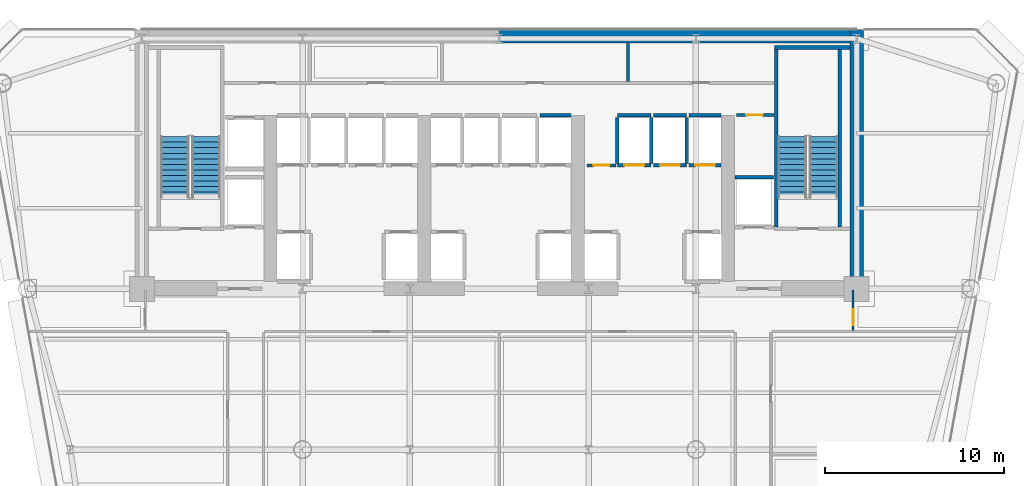
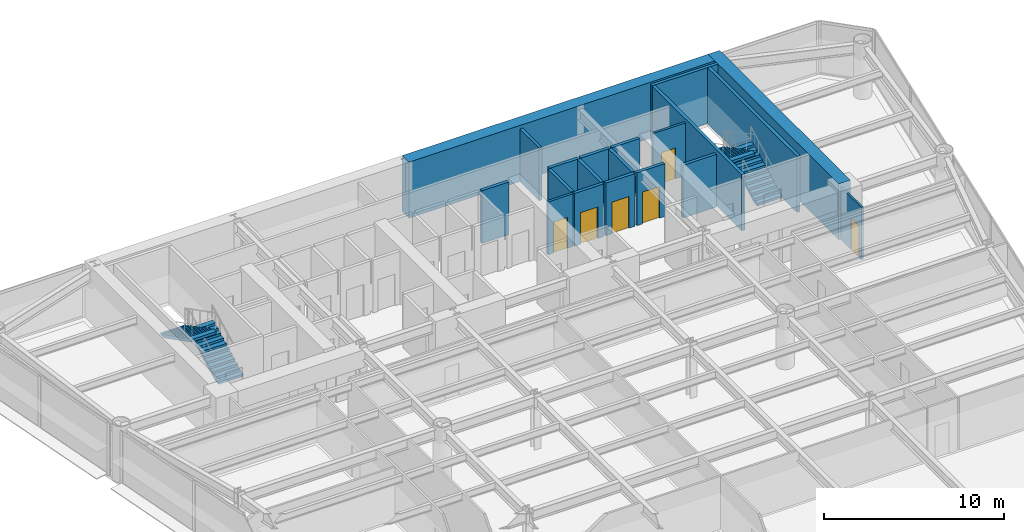
# One storey, part 10 of 14: 20 walls, 6 doors, 4 stair flights, 6 openings, 2 elements without a shape of their own.
"""IFC4 building model written with IfcOpenShell, lengths in metres."""

from ifc_helpers import new_model, si_unit, direction, frame, frame_2d, origin, place, context, subcontext, project, spatial, polyline, rectangle, outline, extrude, source, transform, mapped, material, layer, layer_set, type_object, element, fill, aggregate, save


model = new_model("IFC4")

# Units and contexts
model_context = context("Model", 3, precision=1e-05, world=origin(), true_north=direction((0.0, 1.0)))
body_context = subcontext(model_context, "Body", "Model", "MODEL_VIEW")
ifc_project = project(units=[si_unit("LENGTHUNIT", "METRE"), si_unit("AREAUNIT", "SQUARE_METRE"), si_unit("VOLUMEUNIT", "CUBIC_METRE"), si_unit("PLANEANGLEUNIT", "RADIAN"), si_unit("MASSUNIT", "GRAM", prefix="KILO")], contexts=[model_context])

# Site, building, storey
site_placement = place(None, origin())
site = spatial("IfcSite", under=ifc_project, at=site_placement, CompositionType="ELEMENT")
building_placement = place(site_placement, origin())
building = spatial("IfcBuilding", under=site, at=building_placement, Name="Vaeldorn Concourse Tower", CompositionType="ELEMENT")
storey_placement = place(building_placement, frame((0.0, 0.0, 99.60009765625)))
storey = spatial("IfcBuildingStorey", under=building, at=storey_placement, Name="L25", CompositionType="ELEMENT", Elevation=99.60009765625)

# Walls
ifc_material_1 = material(Name="Concrete C60/75", Category="concrete")
ifc_layer_1 = layer(ifc_material_1, 0.75)
ifc_layer_set_1 = layer_set([ifc_layer_1], Name="Concrete C60/75")
wall_type_1 = type_object("IfcWallType", Name="WL-CORE-750", PredefinedType="SHEAR", material=ifc_layer_set_1)
wall_1_placement = place(storey_placement, frame((34.001953125, 50.625, 0.0), z_axis=(0.0, 0.0, 1.0), x_axis=(1.0, 0.0, 0.0)))
element("IfcWall", 1, at=wall_1_placement, inside=storey, type_object=wall_type_1, Name="Rear Core Shear Wall L25 N2", PredefinedType="SHEAR", context=body_context, shape_type="SweptSolid", body=[
    extrude(rectangle(XDim=19.619140625, YDim=0.75, at=frame_2d((9.8095703125, 0.0))), origin(), (0.0, 0.0, 1.0), 3.7998046875),
])
wall_2_placement = place(storey_placement, frame((54.0, 36.5, 0.0), z_axis=(0.0, 0.0, 1.0), x_axis=(0.0, 1.0, 0.0)))
element("IfcWall", 2, at=wall_2_placement, inside=storey, type_object=wall_type_1, Name="Rear Core Shear Wall L25 E1", PredefinedType="SHEAR", context=body_context, shape_type="SweptSolid", body=[
    extrude(rectangle(XDim=14.5, YDim=0.75, at=frame_2d((7.25, 0.0))), origin(), (0.0, 0.0, 1.0), 3.7998046875),
])

# Wall, opening, door
ifc_material_2 = material(Name="Gypsum Board Partition", Category="gypsum")
ifc_layer_2 = layer(ifc_material_2, 0.1201171875)
ifc_layer_set_2 = layer_set([ifc_layer_2], Name="Gypsum Board Partition")
wall_type_2 = type_object("IfcWallType", Name="WL-PART-120", PredefinedType="PARTITIONING", material=ifc_layer_set_2)
wall_3_placement = place(storey_placement, frame((53.800048828125, 34.159912109375, 0.0), z_axis=(0.0, 0.0, 1.0), x_axis=(0.0, 1.0, 0.0)))
wall_3 = element("IfcWall", 3, at=wall_3_placement, inside=storey, type_object=wall_type_2, Name="Interior Wall PW-L25-CEET", PredefinedType="PARTITIONING", context=body_context, shape_type="SweptSolid", body=[
    extrude(rectangle(XDim=2.280029296875, YDim=0.1201171875, at=frame_2d((1.14013671875, 0.0))), origin(), (0.0, 0.0, 1.0), 3.579833984375),
])
opening_1_placement = place(wall_3_placement, frame((0.300048828125, 0.0, 0.0)))
opening_1 = element("IfcOpeningElement", 4, at=opening_1_placement, cuts=wall_3, Name="Opening D-03", PredefinedType="OPENING", context=body_context, shape_type="SweptSolid", body=[
    extrude(rectangle(XDim=0.89990234375, YDim=2.14990234375, at=frame_2d((0.449951171875, 1.074951171875))), frame((0.0, 0.070068359375, 0.0), z_axis=(0.0, -1.0, 0.0), x_axis=(1.0, 0.0, 0.0)), (0.0, 0.0, 1.0), 0.14013671875),
])
ifc_material_3 = material(Name="Acoustic Bronze-Framed Glass Door", Category="glass")
door_type_1 = type_object("IfcDoorType", Name="DR-INT-900", OperationType="NOTDEFINED", PredefinedType="DOOR", material=ifc_material_3)
shared_shape_1 = source(origin(), body_context, "Body", "SweptSolid", [
    extrude(rectangle(XDim=0.89990234375, YDim=2.14990234375, at=frame_2d((0.449951171875, 1.074951171875))), frame((0.0, 0.02490234375, 0.0), z_axis=(0.0, -1.0, 0.0), x_axis=(1.0, 0.0, 0.0)), (0.0, 0.0, 1.0), 0.050048828125),
])
door_1_placement = place(opening_1_placement, origin())
door_1 = element("IfcDoor", 5, at=door_1_placement, inside=storey, type_object=door_type_1, Name="Interior Door DR-L25-NE1", OperationType="SINGLE_SWING_RIGHT", OverallHeight=2.14990234375, OverallWidth=0.89990234375, PredefinedType="DOOR", context=body_context, shape_type="MappedRepresentation", body=[
    mapped(shared_shape_1, transform((0.0, 0.0, 0.0), scale=1.0)),
])
fill(opening_1, door_1)

ifc_layer_3 = layer(ifc_material_2, 0.14990234375)
ifc_layer_set_3 = layer_set([ifc_layer_3], Name="Gypsum Board Partition")
wall_type_3 = type_object("IfcWallType", Name="WL-PART-150", PredefinedType="PARTITIONING", material=ifc_layer_set_3)
wall_4_placement = place(storey_placement, frame((47.280029296875, 46.219970703125, 0.0), z_axis=(0.0, 0.0, 1.0), x_axis=(1.0, 0.0, 0.0)))
wall_4 = element("IfcWall", 6, at=wall_4_placement, inside=storey, type_object=wall_type_3, Name="Interior Wall CW-L25-CRSE-N", PredefinedType="PARTITIONING", context=body_context, shape_type="SweptSolid", body=[
    extrude(rectangle(XDim=2.099853515625, YDim=0.14990234375, at=frame_2d((1.0498046875, 0.0))), origin(), (0.0, 0.0, 1.0), 3.579833984375),
])
opening_2_placement = place(wall_4_placement, frame((0.550048828125, 0.0, 0.0)))
opening_2 = element("IfcOpeningElement", 7, at=opening_2_placement, cuts=wall_4, Name="Opening D-02", PredefinedType="OPENING", context=body_context, shape_type="SweptSolid", body=[
    extrude(rectangle(XDim=0.89990234375, YDim=2.10009765625, at=frame_2d((0.449951171875, 1.050048828125))), frame((0.0, 0.0849609375, 0.0), z_axis=(0.0, -1.0, 0.0), x_axis=(1.0, 0.0, 0.0)), (0.0, 0.0, 1.0), 0.169921875),
])
ifc_material_4 = material(Name="Fire-Rated Timber Leaf", Category="wood")
door_type_2 = type_object("IfcDoorType", Name="DR-FD30-900", OperationType="NOTDEFINED", PredefinedType="DOOR", material=ifc_material_4)
shared_shape_2 = source(origin(), body_context, "Body", "SweptSolid", [
    extrude(rectangle(XDim=0.89990234375, YDim=2.10009765625, at=frame_2d((0.449951171875, 1.050048828125))), frame((0.0, 0.02490234375, 0.0), z_axis=(0.0, -1.0, 0.0), x_axis=(1.0, 0.0, 0.0)), (0.0, 0.0, 1.0), 0.050048828125),
])
door_2_placement = place(opening_2_placement, origin())
door_2 = element("IfcDoor", 8, at=door_2_placement, inside=storey, type_object=door_type_2, Name="Interior Door DR-L25-CRSE", OperationType="SINGLE_SWING_RIGHT", OverallHeight=2.10009765625, OverallWidth=0.89990234375, PredefinedType="DOOR", context=body_context, shape_type="MappedRepresentation", body=[
    mapped(shared_shape_2, transform((0.0, 0.0, 0.0), scale=1.0)),
])
fill(opening_2, door_2)

wall_5_placement = place(storey_placement, frame((38.919921875, 43.39990234375, 0.0), z_axis=(0.0, 0.0, 1.0), x_axis=(1.0, 0.0, 0.0)))
wall_5 = element("IfcWall", 9, at=wall_5_placement, inside=storey, type_object=wall_type_3, Name="Interior Wall CW-L25-CCLINK", PredefinedType="PARTITIONING", context=body_context, shape_type="SweptSolid", body=[
    extrude(rectangle(XDim=1.60009765625, YDim=0.14990234375, at=frame_2d((0.800048828125, 0.0))), origin(), (0.0, 0.0, 1.0), 3.579833984375),
])
opening_3_placement = place(wall_5_placement, frame((0.35009765625, 0.0, 0.0)))
opening_3 = element("IfcOpeningElement", 10, at=opening_3_placement, cuts=wall_5, Name="Opening D-02", PredefinedType="OPENING", context=body_context, shape_type="SweptSolid", body=[
    extrude(rectangle(XDim=0.89990234375, YDim=2.10009765625, at=frame_2d((0.449951171875, 1.050048828125))), frame((0.0, 0.0849609375, 0.0), z_axis=(0.0, -1.0, 0.0), x_axis=(1.0, 0.0, 0.0)), (0.0, 0.0, 1.0), 0.169921875),
])
door_3_placement = place(opening_3_placement, origin())
door_3 = element("IfcDoor", 11, at=door_3_placement, inside=storey, type_object=door_type_2, Name="Interior Door DR-L25-CCLINK", OperationType="SINGLE_SWING_LEFT", OverallHeight=2.10009765625, OverallWidth=0.89990234375, PredefinedType="DOOR", context=body_context, shape_type="MappedRepresentation", body=[
    mapped(shared_shape_2, transform((0.0, 0.0, 0.0), scale=1.0)),
])
fill(opening_3, door_3)

# Walls
ifc_layer_4 = layer(ifc_material_2, 0.179931640625)
ifc_layer_set_4 = layer_set([ifc_layer_4], Name="Gypsum Board Partition")
wall_type_4 = type_object("IfcWallType", Name="WL-PLUMB-180", PredefinedType="PLUMBINGWALL", material=ifc_layer_set_4)
wall_6_placement = place(storey_placement, frame((41.199951171875, 48.10009765625, 0.0), z_axis=(0.0, 0.0, 1.0), x_axis=(0.0, 1.0, 0.0)))
element("IfcWall", 12, at=wall_6_placement, inside=storey, type_object=wall_type_4, Name="Interior Wall CW-L25-NDIV3", PredefinedType="PLUMBINGWALL", context=body_context, shape_type="SweptSolid", body=[
    extrude(rectangle(XDim=2.1298828125, YDim=0.179931640625, at=frame_2d((1.06494140625, 0.0))), origin(), (0.0, 0.0, 1.0), 3.579833984375),
])
ifc_material_5 = material(Name="Concrete C50/60", Category="concrete")
ifc_layer_5 = layer(ifc_material_5, 0.199951171875)
ifc_layer_set_5 = layer_set([ifc_layer_5], Name="Concrete C50/60")
wall_type_5 = type_object("IfcWallType", Name="WL-SHAFT-200", PredefinedType="SOLIDWALL", material=ifc_layer_set_5)
wall_7_placement = place(storey_placement, frame((49.39990234375, 50.0, 0.0), z_axis=(0.0, 0.0, 1.0), x_axis=(1.0, 0.0, 0.0)))
element("IfcWall", 13, at=wall_7_placement, inside=storey, type_object=wall_type_5, Name="Stair Shaft Wall CW-L25-ST-2-N", PredefinedType="SOLIDWALL", context=body_context, shape_type="SweptSolid", body=[
    extrude(rectangle(XDim=4.22509765625, YDim=0.199951171875, at=frame_2d((2.112548828125, 0.0))), origin(), (0.0, 0.0, 1.0), 3.7998046875),
])
for number, where, z_axis, x_axis, name in (
    (14, (49.5, 39.9599609375, 0.0), (0.0, 0.0, 1.0), (0.0, 1.0, 0.0), "Stair Shaft Wall CW-L25-ST-2-W"),
    (15, (53.050048828125, 39.9599609375, 0.0), (0.0, 0.0, 1.0), (0.0, 1.0, 0.0), "Stair Shaft Wall CW-L25-ST-2-E"),
):
    element("IfcWall", number, at=place(storey_placement, frame(where, z_axis=z_axis, x_axis=x_axis)), inside=storey, type_object=wall_type_5, Name=name, PredefinedType="SOLIDWALL", context=body_context, shape_type="SweptSolid", body=[
        extrude(rectangle(XDim=9.929931640625, YDim=0.199951171875, at=frame_2d((4.96484375, 0.0))), origin(), (0.0, 0.0, 1.0), 3.7998046875),
    ])
wall_8_placement = place(storey_placement, frame((36.2900390625, 46.199951171875, 0.0), z_axis=(0.0, 0.0, 1.0), x_axis=(1.0, 0.0, 0.0)))
element("IfcWall", 16, at=wall_8_placement, inside=storey, type_object=wall_type_5, Name="Interior Wall CW-L25-LFB-LF-12", PredefinedType="SOLIDWALL", context=body_context, shape_type="SweptSolid", body=[
    extrude(rectangle(XDim=1.724853515625, YDim=0.199951171875, at=frame_2d((0.8623046875, 0.0))), origin(), (0.0, 0.0, 1.0), 3.579833984375),
])

# Wall, opening, door
wall_9_placement = place(storey_placement, frame((40.6201171875, 43.39990234375, 0.0), z_axis=(0.0, 0.0, 1.0), x_axis=(1.0, 0.0, 0.0)))
wall_9 = element("IfcWall", 17, at=wall_9_placement, inside=storey, type_object=wall_type_5, Name="Interior Wall CW-L25-LF-LF-15", PredefinedType="SOLIDWALL", context=body_context, shape_type="SweptSolid", body=[
    extrude(rectangle(XDim=1.85986328125, YDim=0.199951171875, at=frame_2d((0.929931640625, 0.0))), origin(), (0.0, 0.0, 1.0), 3.579833984375),
])
opening_4_placement = place(wall_9_placement, frame((0.3798828125, 0.0, 0.0)))
opening_4 = element("IfcOpeningElement", 18, at=opening_4_placement, cuts=wall_9, Name="Opening LD-1", PredefinedType="OPENING", context=body_context, shape_type="SweptSolid", body=[
    extrude(rectangle(XDim=1.10009765625, YDim=2.14990234375, at=frame_2d((0.550048828125, 1.074951171875))), frame((0.0, 0.10986328125, 0.0), z_axis=(0.0, -1.0, 0.0), x_axis=(1.0, 0.0, 0.0)), (0.0, 0.0, 1.0), 0.219970703125),
])
ifc_material_6 = material(Name="Anodised Bronze Aluminium", Category="aluminium")
door_type_3 = type_object("IfcDoorType", Name="DR-LIFT-SLIDE-1100", OperationType="DOUBLE_DOOR_SLIDING", PredefinedType="DOOR", material=ifc_material_6)
shared_shape_3 = source(origin(), body_context, "Body", "SweptSolid", [
    extrude(rectangle(XDim=1.10009765625, YDim=2.14990234375, at=frame_2d((0.550048828125, 1.074951171875))), frame((0.0, 0.02490234375, 0.0), z_axis=(0.0, -1.0, 0.0), x_axis=(1.0, 0.0, 0.0)), (0.0, 0.0, 1.0), 0.050048828125),
])
door_4_placement = place(opening_4_placement, origin())
door_4 = element("IfcDoor", 19, at=door_4_placement, inside=storey, type_object=door_type_3, Name="Lift Landing Door LD-L25-LF-15", OperationType="DOUBLE_DOOR_SLIDING", OverallHeight=2.14990234375, OverallWidth=1.10009765625, PredefinedType="DOOR", context=body_context, shape_type="MappedRepresentation", body=[
    mapped(shared_shape_3, transform((0.0, 0.0, 0.0), scale=1.0)),
])
fill(opening_4, door_4)

# Walls
wall_10_placement = place(storey_placement, frame((40.6201171875, 46.199951171875, 0.0), z_axis=(0.0, 0.0, 1.0), x_axis=(1.0, 0.0, 0.0)))
element("IfcWall", 20, at=wall_10_placement, inside=storey, type_object=wall_type_5, Name="Interior Wall CW-L25-LFB-LF-15", PredefinedType="SOLIDWALL", context=body_context, shape_type="SweptSolid", body=[
    extrude(rectangle(XDim=1.85986328125, YDim=0.199951171875, at=frame_2d((0.929931640625, 0.0))), origin(), (0.0, 0.0, 1.0), 3.579833984375),
])
for number, where, z_axis, x_axis, name in (
    (21, (40.60009765625, 43.52001953125, 0.0), (0.0, 0.0, 1.0), (0.0, 1.0, 0.0), "Interior Wall CW-L25-LFW-LF-15"),
    (22, (42.5, 43.52001953125, 0.0), (0.0, 0.0, 1.0), (0.0, 1.0, 0.0), "Interior Wall CW-L25-LFE-LF-15"),
):
    element("IfcWall", number, at=place(storey_placement, frame(where, z_axis=z_axis, x_axis=x_axis)), inside=storey, type_object=wall_type_5, Name=name, PredefinedType="SOLIDWALL", context=body_context, shape_type="SweptSolid", body=[
        extrude(rectangle(XDim=2.56005859375, YDim=0.199951171875, at=frame_2d((1.280029296875, 0.0))), origin(), (0.0, 0.0, 1.0), 3.579833984375),
    ])

# Wall, opening, door
wall_11_placement = place(storey_placement, frame((42.6201171875, 43.39990234375, 0.0), z_axis=(0.0, 0.0, 1.0), x_axis=(1.0, 0.0, 0.0)))
wall_11 = element("IfcWall", 23, at=wall_11_placement, inside=storey, type_object=wall_type_5, Name="Interior Wall CW-L25-LF-LF-16", PredefinedType="SOLIDWALL", context=body_context, shape_type="SweptSolid", body=[
    extrude(rectangle(XDim=1.85986328125, YDim=0.199951171875, at=frame_2d((0.929931640625, 0.0))), origin(), (0.0, 0.0, 1.0), 3.579833984375),
])
opening_5_placement = place(wall_11_placement, frame((0.3798828125, 0.0, 0.0)))
opening_5 = element("IfcOpeningElement", 24, at=opening_5_placement, cuts=wall_11, Name="Opening LD-1", PredefinedType="OPENING", context=body_context, shape_type="SweptSolid", body=[
    extrude(rectangle(XDim=1.10009765625, YDim=2.14990234375, at=frame_2d((0.550048828125, 1.074951171875))), frame((0.0, 0.10986328125, 0.0), z_axis=(0.0, -1.0, 0.0), x_axis=(1.0, 0.0, 0.0)), (0.0, 0.0, 1.0), 0.219970703125),
])
door_5_placement = place(opening_5_placement, origin())
door_5 = element("IfcDoor", 25, at=door_5_placement, inside=storey, type_object=door_type_3, Name="Lift Landing Door LD-L25-LF-16", OperationType="DOUBLE_DOOR_SLIDING", OverallHeight=2.14990234375, OverallWidth=1.10009765625, PredefinedType="DOOR", context=body_context, shape_type="MappedRepresentation", body=[
    mapped(shared_shape_3, transform((0.0, 0.0, 0.0), scale=1.0)),
])
fill(opening_5, door_5)

# Walls
wall_12_placement = place(storey_placement, frame((42.6201171875, 46.199951171875, 0.0), z_axis=(0.0, 0.0, 1.0), x_axis=(1.0, 0.0, 0.0)))
element("IfcWall", 26, at=wall_12_placement, inside=storey, type_object=wall_type_5, Name="Interior Wall CW-L25-LFB-LF-16", PredefinedType="SOLIDWALL", context=body_context, shape_type="SweptSolid", body=[
    extrude(rectangle(XDim=1.85986328125, YDim=0.199951171875, at=frame_2d((0.929931640625, 0.0))), origin(), (0.0, 0.0, 1.0), 3.579833984375),
])
wall_13_placement = place(storey_placement, frame((44.5, 43.52001953125, 0.0), z_axis=(0.0, 0.0, 1.0), x_axis=(0.0, 1.0, 0.0)))
element("IfcWall", 27, at=wall_13_placement, inside=storey, type_object=wall_type_5, Name="Interior Wall CW-L25-LFE-LF-16", PredefinedType="SOLIDWALL", context=body_context, shape_type="SweptSolid", body=[
    extrude(rectangle(XDim=2.56005859375, YDim=0.199951171875, at=frame_2d((1.280029296875, 0.0))), origin(), (0.0, 0.0, 1.0), 3.579833984375),
])

# Wall, opening, door
wall_14_placement = place(storey_placement, frame((44.6201171875, 43.39990234375, 0.0), z_axis=(0.0, 0.0, 1.0), x_axis=(1.0, 0.0, 0.0)))
wall_14 = element("IfcWall", 28, at=wall_14_placement, inside=storey, type_object=wall_type_5, Name="Interior Wall CW-L25-LF-LF-17", PredefinedType="SOLIDWALL", context=body_context, shape_type="SweptSolid", body=[
    extrude(rectangle(XDim=1.794921875, YDim=0.199951171875, at=frame_2d((0.8974609375, 0.0))), origin(), (0.0, 0.0, 1.0), 3.579833984375),
])
opening_6_placement = place(wall_14_placement, frame((0.347900390625, 0.0, 0.0)))
opening_6 = element("IfcOpeningElement", 29, at=opening_6_placement, cuts=wall_14, Name="Opening LD-1", PredefinedType="OPENING", context=body_context, shape_type="SweptSolid", body=[
    extrude(rectangle(XDim=1.10009765625, YDim=2.14990234375, at=frame_2d((0.550048828125, 1.074951171875))), frame((0.0, 0.10986328125, 0.0), z_axis=(0.0, -1.0, 0.0), x_axis=(1.0, 0.0, 0.0)), (0.0, 0.0, 1.0), 0.219970703125),
])
door_6_placement = place(opening_6_placement, origin())
door_6 = element("IfcDoor", 30, at=door_6_placement, inside=storey, type_object=door_type_3, Name="Lift Landing Door LD-L25-LF-17", OperationType="DOUBLE_DOOR_SLIDING", OverallHeight=2.14990234375, OverallWidth=1.10009765625, PredefinedType="DOOR", context=body_context, shape_type="MappedRepresentation", body=[
    mapped(shared_shape_3, transform((0.0, 0.0, 0.0), scale=1.0)),
])
fill(opening_6, door_6)

# Walls
wall_15_placement = place(storey_placement, frame((44.6201171875, 46.199951171875, 0.0), z_axis=(0.0, 0.0, 1.0), x_axis=(1.0, 0.0, 0.0)))
element("IfcWall", 31, at=wall_15_placement, inside=storey, type_object=wall_type_5, Name="Interior Wall CW-L25-LFB-LF-17", PredefinedType="SOLIDWALL", context=body_context, shape_type="SweptSolid", body=[
    extrude(rectangle(XDim=1.794921875, YDim=0.199951171875, at=frame_2d((0.8974609375, 0.0))), origin(), (0.0, 0.0, 1.0), 3.579833984375),
])
wall_16_placement = place(storey_placement, frame((47.18505859375, 42.75, 0.0), z_axis=(0.0, 0.0, 1.0), x_axis=(1.0, 0.0, 0.0)))
element("IfcWall", 32, at=wall_16_placement, inside=storey, type_object=wall_type_5, Name="Interior Wall CW-L25-LFB-LF-FF2", PredefinedType="SOLIDWALL", context=body_context, shape_type="SweptSolid", body=[
    extrude(rectangle(XDim=2.14501953125, YDim=0.199951171875, at=frame_2d((1.072509765625, 0.0))), origin(), (0.0, 0.0, 1.0), 3.579833984375),
])

# Stair, stair flights
ifc_material_7 = material(Name="Precast concrete C40/50", Category="concrete")
stair_type = type_object("IfcStairType", Name="STR-DOG-24x158", PredefinedType="HALF_TURN_STAIR", material=ifc_material_7)
stair_1_placement = place(storey_placement, origin())
stair_1 = element("IfcStair", 33, at=stair_1_placement, inside=storey, type_object=stair_type, Name="L25 West Core Exit Stair ST-1", PredefinedType="HALF_TURN_STAIR")
stair_flight_type = type_object("IfcStairFlightType", Name="STF-STR-12x158", PredefinedType="STRAIGHT", material=ifc_material_7)
stair_flight_1_placement = place(storey_placement, frame((17.60009765625, 41.60009765625, 0.0), z_axis=(0.0, 0.0, 1.0), x_axis=(0.0, 1.0, 0.0)))
stair_flight_1 = element("IfcStairFlight", 34, at=stair_flight_1_placement, type_object=stair_flight_type, Name="ST-1 flight 1", NumberOfRisers=12, NumberOfTreads=11, PredefinedType="STRAIGHT", RiserHeight=0.158333333, TreadLength=0.31, context=body_context, shape_type="SweptSolid", body=[
    extrude(outline(polyline([(0.0, 0.0), (0.0, 0.158447265625), (0.31005859375, 0.158447265625), (0.31005859375, 0.316650390625), (0.6201171875, 0.316650390625), (0.6201171875, 0.47509765625), (0.929931640625, 0.47509765625), (0.929931640625, 0.63330078125), (1.239990234375, 0.63330078125), (1.239990234375, 0.791748046875), (1.550048828125, 0.791748046875), (1.550048828125, 0.949951171875), (1.860107421875, 0.949951171875), (1.860107421875, 1.1083984375), (2.169921875, 1.1083984375), (2.169921875, 1.2666015625), (2.47998046875, 1.2666015625), (2.47998046875, 1.425048828125), (2.7900390625, 1.425048828125), (2.7900390625, 1.583251953125), (3.10009765625, 1.583251953125), (3.10009765625, 1.74169921875), (3.409912109375, 1.74169921875), (3.409912109375, 1.89990234375), (3.409912109375, 1.5732421875), (0.32958984375, 0.0), (0.0, 0.0)])), frame((0.0, 0.800048828125, 0.0), z_axis=(0.0, -1.0, 0.0), x_axis=(1.0, 0.0, 0.0)), (0.0, 0.0, 1.0), 1.60009765625),
])
stair_flight_2_placement = place(storey_placement, frame((15.85009765625, 45.010009765625, 1.89990234375), z_axis=(0.0, 0.0, 1.0), x_axis=(0.0, -1.0, 0.0)))
stair_flight_2 = element("IfcStairFlight", 35, at=stair_flight_2_placement, type_object=stair_flight_type, Name="ST-1 flight 2", NumberOfRisers=12, NumberOfTreads=11, PredefinedType="STRAIGHT", RiserHeight=0.158333333, TreadLength=0.31, context=body_context, shape_type="SweptSolid", body=[
    extrude(outline(polyline([(0.0, 0.0), (0.0, 0.158447265625), (0.31005859375, 0.158447265625), (0.31005859375, 0.316650390625), (0.6201171875, 0.316650390625), (0.6201171875, 0.47509765625), (0.929931640625, 0.47509765625), (0.929931640625, 0.63330078125), (1.239990234375, 0.63330078125), (1.239990234375, 0.791748046875), (1.550048828125, 0.791748046875), (1.550048828125, 0.949951171875), (1.860107421875, 0.949951171875), (1.860107421875, 1.1083984375), (2.169921875, 1.1083984375), (2.169921875, 1.2666015625), (2.47998046875, 1.2666015625), (2.47998046875, 1.425048828125), (2.7900390625, 1.425048828125), (2.7900390625, 1.583251953125), (3.10009765625, 1.583251953125), (3.10009765625, 1.74169921875), (3.409912109375, 1.74169921875), (3.409912109375, 1.89990234375), (3.409912109375, 1.5732421875), (0.32958984375, 0.0), (0.0, 0.0)])), frame((0.0, 0.800048828125, 0.0), z_axis=(0.0, -1.0, 0.0), x_axis=(1.0, 0.0, 0.0)), (0.0, 0.0, 1.0), 1.60009765625),
])
aggregate(stair_1, [stair_flight_1, stair_flight_2])

stair_2_placement = place(storey_placement, origin())
stair_2 = element("IfcStair", 36, at=stair_2_placement, inside=storey, type_object=stair_type, Name="L25 East Core Exit Stair ST-2", PredefinedType="HALF_TURN_STAIR")
stair_flight_3_placement = place(storey_placement, frame((52.14990234375, 41.60009765625, 0.0), z_axis=(0.0, 0.0, 1.0), x_axis=(0.0, 1.0, 0.0)))
stair_flight_3 = element("IfcStairFlight", 37, at=stair_flight_3_placement, type_object=stair_flight_type, Name="ST-2 flight 1", NumberOfRisers=12, NumberOfTreads=11, PredefinedType="STRAIGHT", RiserHeight=0.158333333, TreadLength=0.31, context=body_context, shape_type="SweptSolid", body=[
    extrude(outline(polyline([(0.0, 0.0), (0.0, 0.158447265625), (0.31005859375, 0.158447265625), (0.31005859375, 0.316650390625), (0.6201171875, 0.316650390625), (0.6201171875, 0.47509765625), (0.929931640625, 0.47509765625), (0.929931640625, 0.63330078125), (1.239990234375, 0.63330078125), (1.239990234375, 0.791748046875), (1.550048828125, 0.791748046875), (1.550048828125, 0.949951171875), (1.860107421875, 0.949951171875), (1.860107421875, 1.1083984375), (2.169921875, 1.1083984375), (2.169921875, 1.2666015625), (2.47998046875, 1.2666015625), (2.47998046875, 1.425048828125), (2.7900390625, 1.425048828125), (2.7900390625, 1.583251953125), (3.10009765625, 1.583251953125), (3.10009765625, 1.74169921875), (3.409912109375, 1.74169921875), (3.409912109375, 1.89990234375), (3.409912109375, 1.5732421875), (0.32958984375, 0.0), (0.0, 0.0)])), frame((0.0, 0.800048828125, 0.0), z_axis=(0.0, -1.0, 0.0), x_axis=(1.0, 0.0, 0.0)), (0.0, 0.0, 1.0), 1.60009765625),
])
stair_flight_4_placement = place(storey_placement, frame((50.39990234375, 45.010009765625, 1.89990234375), z_axis=(0.0, 0.0, 1.0), x_axis=(0.0, -1.0, 0.0)))
stair_flight_4 = element("IfcStairFlight", 38, at=stair_flight_4_placement, type_object=stair_flight_type, Name="ST-2 flight 2", NumberOfRisers=12, NumberOfTreads=11, PredefinedType="STRAIGHT", RiserHeight=0.158333333, TreadLength=0.31, context=body_context, shape_type="SweptSolid", body=[
    extrude(outline(polyline([(0.0, 0.0), (0.0, 0.158447265625), (0.31005859375, 0.158447265625), (0.31005859375, 0.316650390625), (0.6201171875, 0.316650390625), (0.6201171875, 0.47509765625), (0.929931640625, 0.47509765625), (0.929931640625, 0.63330078125), (1.239990234375, 0.63330078125), (1.239990234375, 0.791748046875), (1.550048828125, 0.791748046875), (1.550048828125, 0.949951171875), (1.860107421875, 0.949951171875), (1.860107421875, 1.1083984375), (2.169921875, 1.1083984375), (2.169921875, 1.2666015625), (2.47998046875, 1.2666015625), (2.47998046875, 1.425048828125), (2.7900390625, 1.425048828125), (2.7900390625, 1.583251953125), (3.10009765625, 1.583251953125), (3.10009765625, 1.74169921875), (3.409912109375, 1.74169921875), (3.409912109375, 1.89990234375), (3.409912109375, 1.5732421875), (0.32958984375, 0.0), (0.0, 0.0)])), frame((0.0, 0.800048828125, 0.0), z_axis=(0.0, -1.0, 0.0), x_axis=(1.0, 0.0, 0.0)), (0.0, 0.0, 1.0), 1.60009765625),
])
aggregate(stair_2, [stair_flight_3, stair_flight_4])

save(model, "model.ifc")
